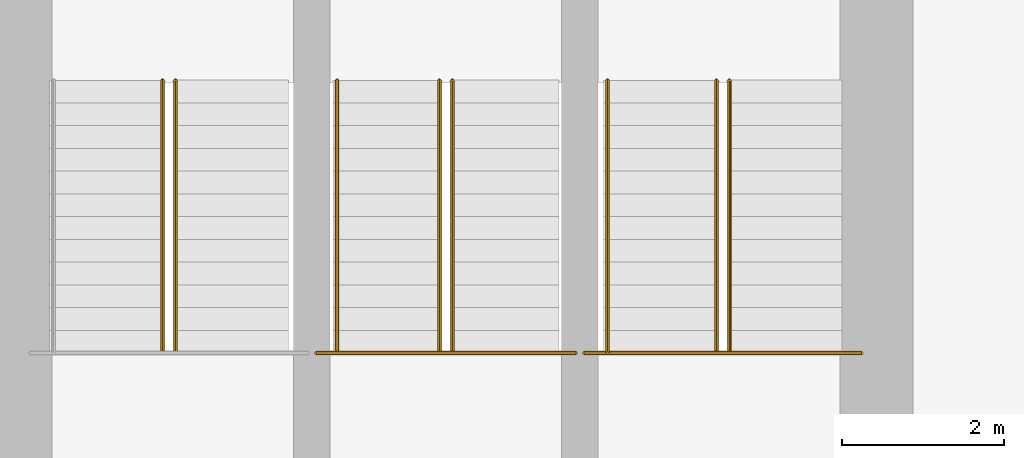
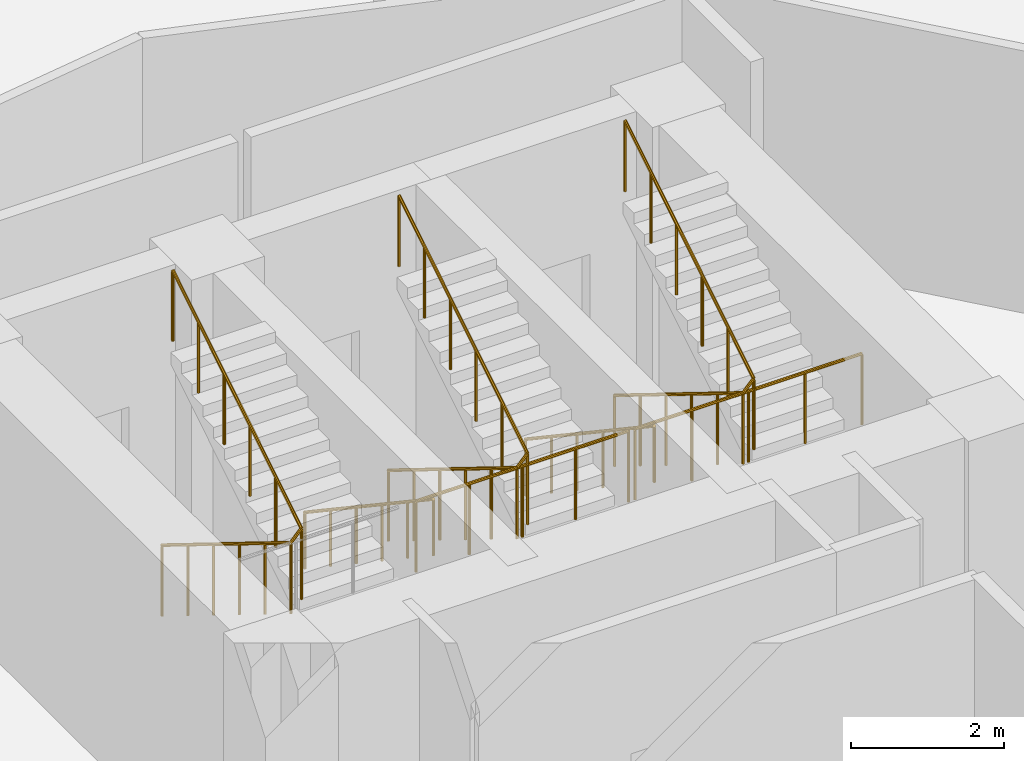
# One storey, part 8 of 8: 7 railings.
"""IFC4 building model written with IfcOpenShell, lengths in metres."""

from ifc_helpers import new_model, si_unit, direction, frame, origin, place, context, subcontext, project, spatial, polyline, outline, extrude, material, type_object, element, save


model = new_model("IFC4")

# Units and contexts
model_context = context("Model", 3, precision=1e-05, world=origin(), true_north=direction((0.0, 1.0)))
body_context = subcontext(model_context, "Body", "Model", "MODEL_VIEW")
ifc_project = project(units=[si_unit("LENGTHUNIT", "METRE"), si_unit("AREAUNIT", "SQUARE_METRE"), si_unit("VOLUMEUNIT", "CUBIC_METRE"), si_unit("PLANEANGLEUNIT", "RADIAN"), si_unit("MASSUNIT", "GRAM", prefix="KILO")], contexts=[model_context])

# Site, building, storey
site_placement = place(None, origin())
site = spatial("IfcSite", under=ifc_project, at=site_placement, CompositionType="ELEMENT")
building_placement = place(site_placement, origin())
building = spatial("IfcBuilding", under=site, at=building_placement, Name="Nuhasar Tower", CompositionType="ELEMENT")
storey_placement = place(building_placement, frame((0.0, 0.0, -4.5)))
storey = spatial("IfcBuildingStorey", under=building, at=storey_placement, Name="B1", CompositionType="ELEMENT", Elevation=-4.5)

# Railings
ifc_material_1 = material(Name="Steel S355", Category="steel")
railing_type_1 = type_object("IfcRailingType", Name="RLG-STAIR-GUARD-1150", PredefinedType="GUARDRAIL", material=ifc_material_1)
railing_1_placement = place(storey_placement, frame((35.510009765625, 35.284912109375, 0.173095703125)))
element("IfcRailing", 1, at=railing_1_placement, inside=storey, type_object=railing_type_1, Name="B1 Stair ST-01 Guardrail SLT", PredefinedType="GUARDRAIL", context=body_context, shape_type="SweptSolid", body=[
    extrude(outline(polyline([(0.024169921875, 0.0), (0.01708984375, 0.01708984375), (0.0, 0.024169921875), (-0.01708984375, 0.01708984375), (-0.024169921875, 0.0), (-0.01708984375, -0.01708984375), (0.0, -0.024169921875), (0.01708984375, -0.01708984375), (0.024169921875, 0.0)])), frame((0.0, 0.0, 1.1259765625), z_axis=(0.0, -0.850606129759, 0.525803396734), x_axis=(1.0, 0.0, 0.0)), (0.0, 0.0, 1.0), 3.949951171875),
    extrude(outline(polyline([(0.024169921875, 0.0), (0.01708984375, 0.01708984375), (0.0, 0.024169921875), (-0.01708984375, 0.01708984375), (-0.024169921875, 0.0), (-0.01708984375, -0.01708984375), (0.0, -0.024169921875), (0.01708984375, -0.01708984375), (0.024169921875, 0.0)])), frame((0.0, -3.35986328125, 3.20263671875), z_axis=(0.678581247581, 0.0, 0.734525350435), x_axis=(0.0, 1.0, 0.0)), (0.0, 0.0, 1.0), 0.235595703125),
    extrude(outline(polyline([(0.024169921875, 0.0), (0.01708984375, 0.01708984375), (0.0, 0.024169921875), (-0.01708984375, 0.01708984375), (-0.024169921875, 0.0), (-0.01708984375, -0.01708984375), (0.0, -0.024169921875), (0.01708984375, -0.01708984375), (0.024169921875, 0.0)])), frame((0.159912109375, -3.35986328125, 3.3759765625), z_axis=(0.0, 0.850606129759, 0.525803396734), x_axis=(-1.0, 0.0, 0.0)), (0.0, 0.0, 1.0), 3.949951171875),
    extrude(outline(polyline([(0.02099609375, 0.0), (0.014892578125, 0.014892578125), (0.0, 0.02099609375), (-0.014892578125, 0.014892578125), (-0.02099609375, 0.0), (-0.014892578125, -0.014892578125), (0.0, -0.02099609375), (0.014892578125, -0.014892578125), (0.02099609375, 0.0)])), origin(), (0.0, 0.0, 1.0), 1.101806640625),
    extrude(outline(polyline([(0.02099609375, 0.0), (0.014892578125, 0.014892578125), (0.0, 0.02099609375), (-0.014892578125, 0.014892578125), (-0.02099609375, 0.0), (-0.014892578125, -0.014892578125), (0.0, -0.02099609375), (0.014892578125, -0.014892578125), (0.02099609375, 0.0)])), frame((0.0, -0.671875, 0.415283203125)), (0.0, 0.0, 1.0), 1.101806640625),
    extrude(outline(polyline([(0.02099609375, 0.0), (0.014892578125, 0.014892578125), (0.0, 0.02099609375), (-0.014892578125, 0.014892578125), (-0.02099609375, 0.0), (-0.014892578125, -0.014892578125), (0.0, -0.02099609375), (0.014892578125, -0.014892578125), (0.02099609375, 0.0)])), frame((0.0, -1.343994140625, 0.830810546875)), (0.0, 0.0, 1.0), 1.101806640625),
    extrude(outline(polyline([(0.02099609375, 0.0), (0.014892578125, 0.014892578125), (0.0, 0.02099609375), (-0.014892578125, 0.014892578125), (-0.02099609375, 0.0), (-0.014892578125, -0.014892578125), (0.0, -0.02099609375), (0.014892578125, -0.014892578125), (0.02099609375, 0.0)])), frame((0.0, -2.015869140625, 1.24609375)), (0.0, 0.0, 1.0), 1.101806640625),
    extrude(outline(polyline([(0.02099609375, 0.0), (0.014892578125, 0.014892578125), (0.0, 0.02099609375), (-0.014892578125, 0.014892578125), (-0.02099609375, 0.0), (-0.014892578125, -0.014892578125), (0.0, -0.02099609375), (0.014892578125, -0.014892578125), (0.02099609375, 0.0)])), frame((0.0, -2.68798828125, 1.66162109375)), (0.0, 0.0, 1.0), 1.101806640625),
    extrude(outline(polyline([(0.02099609375, 0.0), (0.014892578125, 0.014892578125), (0.0, 0.02099609375), (-0.014892578125, 0.014892578125), (-0.02099609375, 0.0), (-0.014892578125, -0.014892578125), (0.0, -0.02099609375), (0.014892578125, -0.014892578125), (0.02099609375, 0.0)])), frame((0.0, -3.35986328125, 2.076904296875)), (0.0, 0.0, 1.0), 1.101806640625),
    extrude(outline(polyline([(0.02099609375, 0.0), (0.014892578125, 0.014892578125), (0.0, 0.02099609375), (-0.014892578125, 0.014892578125), (-0.02099609375, 0.0), (-0.014892578125, -0.014892578125), (0.0, -0.02099609375), (0.014892578125, -0.014892578125), (0.02099609375, 0.0)])), frame((0.159912109375, -3.35986328125, 2.25)), (0.0, 0.0, 1.0), 1.101806640625),
    extrude(outline(polyline([(0.02099609375, 0.0), (0.014892578125, 0.014892578125), (0.0, 0.02099609375), (-0.014892578125, 0.014892578125), (-0.02099609375, 0.0), (-0.014892578125, -0.014892578125), (0.0, -0.02099609375), (0.014892578125, -0.014892578125), (0.02099609375, 0.0)])), frame((0.159912109375, -2.68798828125, 2.665283203125)), (0.0, 0.0, 1.0), 1.101806640625),
    extrude(outline(polyline([(0.02099609375, 0.0), (0.014892578125, 0.014892578125), (0.0, 0.02099609375), (-0.014892578125, 0.014892578125), (-0.02099609375, 0.0), (-0.014892578125, -0.014892578125), (0.0, -0.02099609375), (0.014892578125, -0.014892578125), (0.02099609375, 0.0)])), frame((0.159912109375, -2.015869140625, 3.080810546875)), (0.0, 0.0, 1.0), 1.101806640625),
    extrude(outline(polyline([(0.02099609375, 0.0), (0.014892578125, 0.014892578125), (0.0, 0.02099609375), (-0.014892578125, 0.014892578125), (-0.02099609375, 0.0), (-0.014892578125, -0.014892578125), (0.0, -0.02099609375), (0.014892578125, -0.014892578125), (0.02099609375, 0.0)])), frame((0.159912109375, -1.343994140625, 3.49609375)), (0.0, 0.0, 1.0), 1.101806640625),
    extrude(outline(polyline([(0.02099609375, 0.0), (0.014892578125, 0.014892578125), (0.0, 0.02099609375), (-0.014892578125, 0.014892578125), (-0.02099609375, 0.0), (-0.014892578125, -0.014892578125), (0.0, -0.02099609375), (0.014892578125, -0.014892578125), (0.02099609375, 0.0)])), frame((0.159912109375, -0.671875, 3.91162109375)), (0.0, 0.0, 1.0), 1.101806640625),
    extrude(outline(polyline([(0.02099609375, 0.0), (0.014892578125, 0.014892578125), (0.0, 0.02099609375), (-0.014892578125, 0.014892578125), (-0.02099609375, 0.0), (-0.014892578125, -0.014892578125), (0.0, -0.02099609375), (0.014892578125, -0.014892578125), (0.02099609375, 0.0)])), frame((0.159912109375, 0.0, 4.326904296875)), (0.0, 0.0, 1.0), 1.101806640625),
])
railing_2_placement = place(storey_placement, frame((37.39990234375, 31.925048828125, 2.25)))
element("IfcRailing", 2, at=railing_2_placement, inside=storey, type_object=railing_type_1, Name="B1 Stair ST-03 Guardrail LND", PredefinedType="GUARDRAIL", context=body_context, shape_type="SweptSolid", body=[
    extrude(outline(polyline([(0.024169921875, 0.0), (0.01708984375, 0.01708984375), (0.0, 0.024169921875), (-0.01708984375, 0.01708984375), (-0.024169921875, 0.0), (-0.01708984375, -0.01708984375), (0.0, -0.024169921875), (0.01708984375, -0.01708984375), (0.024169921875, 0.0)])), frame((0.0, 0.0, 1.1259765625), z_axis=(1.0, 0.0, 0.0), x_axis=(0.0, 1.0, 0.0)), (0.0, 0.0, 1.0), 3.2001953125),
    extrude(outline(polyline([(0.02099609375, 0.0), (0.014892578125, 0.014892578125), (0.0, 0.02099609375), (-0.014892578125, 0.014892578125), (-0.02099609375, 0.0), (-0.014892578125, -0.014892578125), (0.0, -0.02099609375), (0.014892578125, -0.014892578125), (0.02099609375, 0.0)])), origin(), (0.0, 0.0, 1.0), 1.101806640625),
    extrude(outline(polyline([(0.02099609375, 0.0), (0.014892578125, 0.014892578125), (0.0, 0.02099609375), (-0.014892578125, 0.014892578125), (-0.02099609375, 0.0), (-0.014892578125, -0.014892578125), (0.0, -0.02099609375), (0.014892578125, -0.014892578125), (0.02099609375, 0.0)])), frame((0.800048828125, 0.0, 0.0)), (0.0, 0.0, 1.0), 1.101806640625),
    extrude(outline(polyline([(0.02099609375, 0.0), (0.014892578125, 0.014892578125), (0.0, 0.02099609375), (-0.014892578125, 0.014892578125), (-0.02099609375, 0.0), (-0.014892578125, -0.014892578125), (0.0, -0.02099609375), (0.014892578125, -0.014892578125), (0.02099609375, 0.0)])), frame((1.60009765625, 0.0, 0.0)), (0.0, 0.0, 1.0), 1.101806640625),
    extrude(outline(polyline([(0.02099609375, 0.0), (0.014892578125, 0.014892578125), (0.0, 0.02099609375), (-0.014892578125, 0.014892578125), (-0.02099609375, 0.0), (-0.014892578125, -0.014892578125), (0.0, -0.02099609375), (0.014892578125, -0.014892578125), (0.02099609375, 0.0)])), frame((2.400146484375, 0.0, 0.0)), (0.0, 0.0, 1.0), 1.101806640625),
    extrude(outline(polyline([(0.02099609375, 0.0), (0.014892578125, 0.014892578125), (0.0, 0.02099609375), (-0.014892578125, 0.014892578125), (-0.02099609375, 0.0), (-0.014892578125, -0.014892578125), (0.0, -0.02099609375), (0.014892578125, -0.014892578125), (0.02099609375, 0.0)])), frame((3.2001953125, 0.0, 0.0)), (0.0, 0.0, 1.0), 1.101806640625),
])
railing_3_placement = place(storey_placement, frame((38.919921875, 35.284912109375, 0.173095703125)))
element("IfcRailing", 3, at=railing_3_placement, inside=storey, type_object=railing_type_1, Name="B1 Stair ST-03 Guardrail SLT", PredefinedType="GUARDRAIL", context=body_context, shape_type="SweptSolid", body=[
    extrude(outline(polyline([(0.024169921875, 0.0), (0.01708984375, 0.01708984375), (0.0, 0.024169921875), (-0.01708984375, 0.01708984375), (-0.024169921875, 0.0), (-0.01708984375, -0.01708984375), (0.0, -0.024169921875), (0.01708984375, -0.01708984375), (0.024169921875, 0.0)])), frame((0.0, 0.0, 1.1259765625), z_axis=(0.0, -0.850606129759, 0.525803396734), x_axis=(1.0, 0.0, 0.0)), (0.0, 0.0, 1.0), 3.949951171875),
    extrude(outline(polyline([(0.024169921875, 0.0), (0.01708984375, 0.01708984375), (0.0, 0.024169921875), (-0.01708984375, 0.01708984375), (-0.024169921875, 0.0), (-0.01708984375, -0.01708984375), (0.0, -0.024169921875), (0.01708984375, -0.01708984375), (0.024169921875, 0.0)])), frame((0.0, -3.35986328125, 3.20263671875), z_axis=(0.679139610055, 0.0, 0.734009121234), x_axis=(0.0, 1.0, 0.0)), (0.0, 0.0, 1.0), 0.23583984375),
    extrude(outline(polyline([(0.024169921875, 0.0), (0.01708984375, 0.01708984375), (0.0, 0.024169921875), (-0.01708984375, 0.01708984375), (-0.024169921875, 0.0), (-0.01708984375, -0.01708984375), (0.0, -0.024169921875), (0.01708984375, -0.01708984375), (0.024169921875, 0.0)])), frame((0.16015625, -3.35986328125, 3.3759765625), z_axis=(0.0, 0.850606129759, 0.525803396734), x_axis=(-1.0, 0.0, 0.0)), (0.0, 0.0, 1.0), 3.949951171875),
    extrude(outline(polyline([(0.02099609375, 0.0), (0.014892578125, 0.014892578125), (0.0, 0.02099609375), (-0.014892578125, 0.014892578125), (-0.02099609375, 0.0), (-0.014892578125, -0.014892578125), (0.0, -0.02099609375), (0.014892578125, -0.014892578125), (0.02099609375, 0.0)])), origin(), (0.0, 0.0, 1.0), 1.101806640625),
    extrude(outline(polyline([(0.02099609375, 0.0), (0.014892578125, 0.014892578125), (0.0, 0.02099609375), (-0.014892578125, 0.014892578125), (-0.02099609375, 0.0), (-0.014892578125, -0.014892578125), (0.0, -0.02099609375), (0.014892578125, -0.014892578125), (0.02099609375, 0.0)])), frame((0.0, -0.671875, 0.415283203125)), (0.0, 0.0, 1.0), 1.101806640625),
    extrude(outline(polyline([(0.02099609375, 0.0), (0.014892578125, 0.014892578125), (0.0, 0.02099609375), (-0.014892578125, 0.014892578125), (-0.02099609375, 0.0), (-0.014892578125, -0.014892578125), (0.0, -0.02099609375), (0.014892578125, -0.014892578125), (0.02099609375, 0.0)])), frame((0.0, -1.343994140625, 0.830810546875)), (0.0, 0.0, 1.0), 1.101806640625),
    extrude(outline(polyline([(0.02099609375, 0.0), (0.014892578125, 0.014892578125), (0.0, 0.02099609375), (-0.014892578125, 0.014892578125), (-0.02099609375, 0.0), (-0.014892578125, -0.014892578125), (0.0, -0.02099609375), (0.014892578125, -0.014892578125), (0.02099609375, 0.0)])), frame((0.0, -2.015869140625, 1.24609375)), (0.0, 0.0, 1.0), 1.101806640625),
    extrude(outline(polyline([(0.02099609375, 0.0), (0.014892578125, 0.014892578125), (0.0, 0.02099609375), (-0.014892578125, 0.014892578125), (-0.02099609375, 0.0), (-0.014892578125, -0.014892578125), (0.0, -0.02099609375), (0.014892578125, -0.014892578125), (0.02099609375, 0.0)])), frame((0.0, -2.68798828125, 1.66162109375)), (0.0, 0.0, 1.0), 1.101806640625),
    extrude(outline(polyline([(0.02099609375, 0.0), (0.014892578125, 0.014892578125), (0.0, 0.02099609375), (-0.014892578125, 0.014892578125), (-0.02099609375, 0.0), (-0.014892578125, -0.014892578125), (0.0, -0.02099609375), (0.014892578125, -0.014892578125), (0.02099609375, 0.0)])), frame((0.0, -3.35986328125, 2.076904296875)), (0.0, 0.0, 1.0), 1.101806640625),
    extrude(outline(polyline([(0.02099609375, 0.0), (0.014892578125, 0.014892578125), (0.0, 0.02099609375), (-0.014892578125, 0.014892578125), (-0.02099609375, 0.0), (-0.014892578125, -0.014892578125), (0.0, -0.02099609375), (0.014892578125, -0.014892578125), (0.02099609375, 0.0)])), frame((0.16015625, -3.35986328125, 2.25)), (0.0, 0.0, 1.0), 1.101806640625),
    extrude(outline(polyline([(0.02099609375, 0.0), (0.014892578125, 0.014892578125), (0.0, 0.02099609375), (-0.014892578125, 0.014892578125), (-0.02099609375, 0.0), (-0.014892578125, -0.014892578125), (0.0, -0.02099609375), (0.014892578125, -0.014892578125), (0.02099609375, 0.0)])), frame((0.16015625, -2.68798828125, 2.665283203125)), (0.0, 0.0, 1.0), 1.101806640625),
    extrude(outline(polyline([(0.02099609375, 0.0), (0.014892578125, 0.014892578125), (0.0, 0.02099609375), (-0.014892578125, 0.014892578125), (-0.02099609375, 0.0), (-0.014892578125, -0.014892578125), (0.0, -0.02099609375), (0.014892578125, -0.014892578125), (0.02099609375, 0.0)])), frame((0.16015625, -2.015869140625, 3.080810546875)), (0.0, 0.0, 1.0), 1.101806640625),
    extrude(outline(polyline([(0.02099609375, 0.0), (0.014892578125, 0.014892578125), (0.0, 0.02099609375), (-0.014892578125, 0.014892578125), (-0.02099609375, 0.0), (-0.014892578125, -0.014892578125), (0.0, -0.02099609375), (0.014892578125, -0.014892578125), (0.02099609375, 0.0)])), frame((0.16015625, -1.343994140625, 3.49609375)), (0.0, 0.0, 1.0), 1.101806640625),
    extrude(outline(polyline([(0.02099609375, 0.0), (0.014892578125, 0.014892578125), (0.0, 0.02099609375), (-0.014892578125, 0.014892578125), (-0.02099609375, 0.0), (-0.014892578125, -0.014892578125), (0.0, -0.02099609375), (0.014892578125, -0.014892578125), (0.02099609375, 0.0)])), frame((0.16015625, -0.671875, 3.91162109375)), (0.0, 0.0, 1.0), 1.101806640625),
    extrude(outline(polyline([(0.02099609375, 0.0), (0.014892578125, 0.014892578125), (0.0, 0.02099609375), (-0.014892578125, 0.014892578125), (-0.02099609375, 0.0), (-0.014892578125, -0.014892578125), (0.0, -0.02099609375), (0.014892578125, -0.014892578125), (0.02099609375, 0.0)])), frame((0.16015625, 0.0, 4.326904296875)), (0.0, 0.0, 1.0), 1.101806640625),
])
railing_4_placement = place(storey_placement, frame((40.699951171875, 31.925048828125, 2.25)))
element("IfcRailing", 4, at=railing_4_placement, inside=storey, type_object=railing_type_1, Name="B1 Stair ST-02 Guardrail LND", PredefinedType="GUARDRAIL", context=body_context, shape_type="SweptSolid", body=[
    extrude(outline(polyline([(0.024169921875, 0.0), (0.01708984375, 0.01708984375), (0.0, 0.024169921875), (-0.01708984375, 0.01708984375), (-0.024169921875, 0.0), (-0.01708984375, -0.01708984375), (0.0, -0.024169921875), (0.01708984375, -0.01708984375), (0.024169921875, 0.0)])), frame((0.0, 0.0, 1.1259765625), z_axis=(1.0, 0.0, 0.0), x_axis=(0.0, 1.0, 0.0)), (0.0, 0.0, 1.0), 3.420166015625),
    extrude(outline(polyline([(0.02099609375, 0.0), (0.014892578125, 0.014892578125), (0.0, 0.02099609375), (-0.014892578125, 0.014892578125), (-0.02099609375, 0.0), (-0.014892578125, -0.014892578125), (0.0, -0.02099609375), (0.014892578125, -0.014892578125), (0.02099609375, 0.0)])), origin(), (0.0, 0.0, 1.0), 1.101806640625),
    extrude(outline(polyline([(0.02099609375, 0.0), (0.014892578125, 0.014892578125), (0.0, 0.02099609375), (-0.014892578125, 0.014892578125), (-0.02099609375, 0.0), (-0.014892578125, -0.014892578125), (0.0, -0.02099609375), (0.014892578125, -0.014892578125), (0.02099609375, 0.0)])), frame((0.85498046875, 0.0, 0.0)), (0.0, 0.0, 1.0), 1.101806640625),
    extrude(outline(polyline([(0.02099609375, 0.0), (0.014892578125, 0.014892578125), (0.0, 0.02099609375), (-0.014892578125, 0.014892578125), (-0.02099609375, 0.0), (-0.014892578125, -0.014892578125), (0.0, -0.02099609375), (0.014892578125, -0.014892578125), (0.02099609375, 0.0)])), frame((1.7099609375, 0.0, 0.0)), (0.0, 0.0, 1.0), 1.101806640625),
    extrude(outline(polyline([(0.02099609375, 0.0), (0.014892578125, 0.014892578125), (0.0, 0.02099609375), (-0.014892578125, 0.014892578125), (-0.02099609375, 0.0), (-0.014892578125, -0.014892578125), (0.0, -0.02099609375), (0.014892578125, -0.014892578125), (0.02099609375, 0.0)])), frame((2.565185546875, 0.0, 0.0)), (0.0, 0.0, 1.0), 1.101806640625),
    extrude(outline(polyline([(0.02099609375, 0.0), (0.014892578125, 0.014892578125), (0.0, 0.02099609375), (-0.014892578125, 0.014892578125), (-0.02099609375, 0.0), (-0.014892578125, -0.014892578125), (0.0, -0.02099609375), (0.014892578125, -0.014892578125), (0.02099609375, 0.0)])), frame((3.420166015625, 0.0, 0.0)), (0.0, 0.0, 1.0), 1.101806640625),
])
railing_5_placement = place(storey_placement, frame((42.330078125, 35.284912109375, 0.173095703125)))
element("IfcRailing", 5, at=railing_5_placement, inside=storey, type_object=railing_type_1, Name="B1 Stair ST-02 Guardrail SLT", PredefinedType="GUARDRAIL", context=body_context, shape_type="SweptSolid", body=[
    extrude(outline(polyline([(0.024169921875, 0.0), (0.01708984375, 0.01708984375), (0.0, 0.024169921875), (-0.01708984375, 0.01708984375), (-0.024169921875, 0.0), (-0.01708984375, -0.01708984375), (0.0, -0.024169921875), (0.01708984375, -0.01708984375), (0.024169921875, 0.0)])), frame((0.0, 0.0, 1.1259765625), z_axis=(0.0, -0.850606129759, 0.525803396734), x_axis=(1.0, 0.0, 0.0)), (0.0, 0.0, 1.0), 3.949951171875),
    extrude(outline(polyline([(0.024169921875, 0.0), (0.01708984375, 0.01708984375), (0.0, 0.024169921875), (-0.01708984375, 0.01708984375), (-0.024169921875, 0.0), (-0.01708984375, -0.01708984375), (0.0, -0.024169921875), (0.01708984375, -0.01708984375), (0.024169921875, 0.0)])), frame((0.0, -3.35986328125, 3.20263671875), z_axis=(0.678581247581, 0.0, 0.734525350435), x_axis=(0.0, 1.0, 0.0)), (0.0, 0.0, 1.0), 0.235595703125),
    extrude(outline(polyline([(0.024169921875, 0.0), (0.01708984375, 0.01708984375), (0.0, 0.024169921875), (-0.01708984375, 0.01708984375), (-0.024169921875, 0.0), (-0.01708984375, -0.01708984375), (0.0, -0.024169921875), (0.01708984375, -0.01708984375), (0.024169921875, 0.0)])), frame((0.159912109375, -3.35986328125, 3.3759765625), z_axis=(0.0, 0.850606129759, 0.525803396734), x_axis=(-1.0, 0.0, 0.0)), (0.0, 0.0, 1.0), 3.949951171875),
    extrude(outline(polyline([(0.02099609375, 0.0), (0.014892578125, 0.014892578125), (0.0, 0.02099609375), (-0.014892578125, 0.014892578125), (-0.02099609375, 0.0), (-0.014892578125, -0.014892578125), (0.0, -0.02099609375), (0.014892578125, -0.014892578125), (0.02099609375, 0.0)])), origin(), (0.0, 0.0, 1.0), 1.101806640625),
    extrude(outline(polyline([(0.02099609375, 0.0), (0.014892578125, 0.014892578125), (0.0, 0.02099609375), (-0.014892578125, 0.014892578125), (-0.02099609375, 0.0), (-0.014892578125, -0.014892578125), (0.0, -0.02099609375), (0.014892578125, -0.014892578125), (0.02099609375, 0.0)])), frame((0.0, -0.671875, 0.415283203125)), (0.0, 0.0, 1.0), 1.101806640625),
    extrude(outline(polyline([(0.02099609375, 0.0), (0.014892578125, 0.014892578125), (0.0, 0.02099609375), (-0.014892578125, 0.014892578125), (-0.02099609375, 0.0), (-0.014892578125, -0.014892578125), (0.0, -0.02099609375), (0.014892578125, -0.014892578125), (0.02099609375, 0.0)])), frame((0.0, -1.343994140625, 0.830810546875)), (0.0, 0.0, 1.0), 1.101806640625),
    extrude(outline(polyline([(0.02099609375, 0.0), (0.014892578125, 0.014892578125), (0.0, 0.02099609375), (-0.014892578125, 0.014892578125), (-0.02099609375, 0.0), (-0.014892578125, -0.014892578125), (0.0, -0.02099609375), (0.014892578125, -0.014892578125), (0.02099609375, 0.0)])), frame((0.0, -2.015869140625, 1.24609375)), (0.0, 0.0, 1.0), 1.101806640625),
    extrude(outline(polyline([(0.02099609375, 0.0), (0.014892578125, 0.014892578125), (0.0, 0.02099609375), (-0.014892578125, 0.014892578125), (-0.02099609375, 0.0), (-0.014892578125, -0.014892578125), (0.0, -0.02099609375), (0.014892578125, -0.014892578125), (0.02099609375, 0.0)])), frame((0.0, -2.68798828125, 1.66162109375)), (0.0, 0.0, 1.0), 1.101806640625),
    extrude(outline(polyline([(0.02099609375, 0.0), (0.014892578125, 0.014892578125), (0.0, 0.02099609375), (-0.014892578125, 0.014892578125), (-0.02099609375, 0.0), (-0.014892578125, -0.014892578125), (0.0, -0.02099609375), (0.014892578125, -0.014892578125), (0.02099609375, 0.0)])), frame((0.0, -3.35986328125, 2.076904296875)), (0.0, 0.0, 1.0), 1.101806640625),
    extrude(outline(polyline([(0.02099609375, 0.0), (0.014892578125, 0.014892578125), (0.0, 0.02099609375), (-0.014892578125, 0.014892578125), (-0.02099609375, 0.0), (-0.014892578125, -0.014892578125), (0.0, -0.02099609375), (0.014892578125, -0.014892578125), (0.02099609375, 0.0)])), frame((0.159912109375, -3.35986328125, 2.25)), (0.0, 0.0, 1.0), 1.101806640625),
    extrude(outline(polyline([(0.02099609375, 0.0), (0.014892578125, 0.014892578125), (0.0, 0.02099609375), (-0.014892578125, 0.014892578125), (-0.02099609375, 0.0), (-0.014892578125, -0.014892578125), (0.0, -0.02099609375), (0.014892578125, -0.014892578125), (0.02099609375, 0.0)])), frame((0.159912109375, -2.68798828125, 2.665283203125)), (0.0, 0.0, 1.0), 1.101806640625),
    extrude(outline(polyline([(0.02099609375, 0.0), (0.014892578125, 0.014892578125), (0.0, 0.02099609375), (-0.014892578125, 0.014892578125), (-0.02099609375, 0.0), (-0.014892578125, -0.014892578125), (0.0, -0.02099609375), (0.014892578125, -0.014892578125), (0.02099609375, 0.0)])), frame((0.159912109375, -2.015869140625, 3.080810546875)), (0.0, 0.0, 1.0), 1.101806640625),
    extrude(outline(polyline([(0.02099609375, 0.0), (0.014892578125, 0.014892578125), (0.0, 0.02099609375), (-0.014892578125, 0.014892578125), (-0.02099609375, 0.0), (-0.014892578125, -0.014892578125), (0.0, -0.02099609375), (0.014892578125, -0.014892578125), (0.02099609375, 0.0)])), frame((0.159912109375, -1.343994140625, 3.49609375)), (0.0, 0.0, 1.0), 1.101806640625),
    extrude(outline(polyline([(0.02099609375, 0.0), (0.014892578125, 0.014892578125), (0.0, 0.02099609375), (-0.014892578125, 0.014892578125), (-0.02099609375, 0.0), (-0.014892578125, -0.014892578125), (0.0, -0.02099609375), (0.014892578125, -0.014892578125), (0.02099609375, 0.0)])), frame((0.159912109375, -0.671875, 3.91162109375)), (0.0, 0.0, 1.0), 1.101806640625),
    extrude(outline(polyline([(0.02099609375, 0.0), (0.014892578125, 0.014892578125), (0.0, 0.02099609375), (-0.014892578125, 0.014892578125), (-0.02099609375, 0.0), (-0.014892578125, -0.014892578125), (0.0, -0.02099609375), (0.014892578125, -0.014892578125), (0.02099609375, 0.0)])), frame((0.159912109375, 0.0, 4.326904296875)), (0.0, 0.0, 1.0), 1.101806640625),
])
ifc_material_2 = material(Name="Stainless Steel 316L", Category="steel")
railing_type_2 = type_object("IfcRailingType", Name="RLG-STAIR-HAND-920", PredefinedType="HANDRAIL", material=ifc_material_2)
railing_6_placement = place(storey_placement, frame((37.659912109375, 35.284912109375, 0.173095703125)))
element("IfcRailing", 6, at=railing_6_placement, inside=storey, type_object=railing_type_2, Name="B1 Stair ST-03 Handrail HND1", PredefinedType="HANDRAIL", context=body_context, shape_type="SweptSolid", body=[
    extrude(outline(polyline([(0.024169921875, 0.0), (0.01708984375, 0.01708984375), (0.0, 0.024169921875), (-0.01708984375, 0.01708984375), (-0.024169921875, 0.0), (-0.01708984375, -0.01708984375), (0.0, -0.024169921875), (0.01708984375, -0.01708984375), (0.024169921875, 0.0)])), frame((0.0, 0.0, 0.89599609375), z_axis=(0.0, -0.830896709279, 0.556426687452), x_axis=(1.0, 0.0, 0.0)), (0.0, 0.0, 1.0), 4.043701171875),
    extrude(outline(polyline([(0.02099609375, 0.0), (0.014892578125, 0.014892578125), (0.0, 0.02099609375), (-0.014892578125, 0.014892578125), (-0.02099609375, 0.0), (-0.014892578125, -0.014892578125), (0.0, -0.02099609375), (0.014892578125, -0.014892578125), (0.02099609375, 0.0)])), origin(), (0.0, 0.0, 1.0), 0.871826171875),
    extrude(outline(polyline([(0.02099609375, 0.0), (0.014892578125, 0.014892578125), (0.0, 0.02099609375), (-0.014892578125, 0.014892578125), (-0.02099609375, 0.0), (-0.014892578125, -0.014892578125), (0.0, -0.02099609375), (0.014892578125, -0.014892578125), (0.02099609375, 0.0)])), frame((0.0, -0.671875, 0.449951171875)), (0.0, 0.0, 1.0), 0.871826171875),
    extrude(outline(polyline([(0.02099609375, 0.0), (0.014892578125, 0.014892578125), (0.0, 0.02099609375), (-0.014892578125, 0.014892578125), (-0.02099609375, 0.0), (-0.014892578125, -0.014892578125), (0.0, -0.02099609375), (0.014892578125, -0.014892578125), (0.02099609375, 0.0)])), frame((0.0, -1.343994140625, 0.89990234375)), (0.0, 0.0, 1.0), 0.871826171875),
    extrude(outline(polyline([(0.02099609375, 0.0), (0.014892578125, 0.014892578125), (0.0, 0.02099609375), (-0.014892578125, 0.014892578125), (-0.02099609375, 0.0), (-0.014892578125, -0.014892578125), (0.0, -0.02099609375), (0.014892578125, -0.014892578125), (0.02099609375, 0.0)])), frame((0.0, -2.015869140625, 1.35009765625)), (0.0, 0.0, 1.0), 0.871826171875),
    extrude(outline(polyline([(0.02099609375, 0.0), (0.014892578125, 0.014892578125), (0.0, 0.02099609375), (-0.014892578125, 0.014892578125), (-0.02099609375, 0.0), (-0.014892578125, -0.014892578125), (0.0, -0.02099609375), (0.014892578125, -0.014892578125), (0.02099609375, 0.0)])), frame((0.0, -2.68798828125, 1.800048828125)), (0.0, 0.0, 1.0), 0.871826171875),
    extrude(outline(polyline([(0.02099609375, 0.0), (0.014892578125, 0.014892578125), (0.0, 0.02099609375), (-0.014892578125, 0.014892578125), (-0.02099609375, 0.0), (-0.014892578125, -0.014892578125), (0.0, -0.02099609375), (0.014892578125, -0.014892578125), (0.02099609375, 0.0)])), frame((0.0, -3.35986328125, 2.25)), (0.0, 0.0, 1.0), 0.871826171875),
])
railing_7_placement = place(storey_placement, frame((40.989990234375, 35.284912109375, 0.173095703125)))
element("IfcRailing", 7, at=railing_7_placement, inside=storey, type_object=railing_type_2, Name="B1 Stair ST-02 Handrail HND1", PredefinedType="HANDRAIL", context=body_context, shape_type="SweptSolid", body=[
    extrude(outline(polyline([(0.024169921875, 0.0), (0.01708984375, 0.01708984375), (0.0, 0.024169921875), (-0.01708984375, 0.01708984375), (-0.024169921875, 0.0), (-0.01708984375, -0.01708984375), (0.0, -0.024169921875), (0.01708984375, -0.01708984375), (0.024169921875, 0.0)])), frame((0.0, 0.0, 0.89599609375), z_axis=(0.0, -0.830896709279, 0.556426687452), x_axis=(1.0, 0.0, 0.0)), (0.0, 0.0, 1.0), 4.043701171875),
    extrude(outline(polyline([(0.02099609375, 0.0), (0.014892578125, 0.014892578125), (0.0, 0.02099609375), (-0.014892578125, 0.014892578125), (-0.02099609375, 0.0), (-0.014892578125, -0.014892578125), (0.0, -0.02099609375), (0.014892578125, -0.014892578125), (0.02099609375, 0.0)])), origin(), (0.0, 0.0, 1.0), 0.871826171875),
    extrude(outline(polyline([(0.02099609375, 0.0), (0.014892578125, 0.014892578125), (0.0, 0.02099609375), (-0.014892578125, 0.014892578125), (-0.02099609375, 0.0), (-0.014892578125, -0.014892578125), (0.0, -0.02099609375), (0.014892578125, -0.014892578125), (0.02099609375, 0.0)])), frame((0.0, -0.671875, 0.449951171875)), (0.0, 0.0, 1.0), 0.871826171875),
    extrude(outline(polyline([(0.02099609375, 0.0), (0.014892578125, 0.014892578125), (0.0, 0.02099609375), (-0.014892578125, 0.014892578125), (-0.02099609375, 0.0), (-0.014892578125, -0.014892578125), (0.0, -0.02099609375), (0.014892578125, -0.014892578125), (0.02099609375, 0.0)])), frame((0.0, -1.343994140625, 0.89990234375)), (0.0, 0.0, 1.0), 0.871826171875),
    extrude(outline(polyline([(0.02099609375, 0.0), (0.014892578125, 0.014892578125), (0.0, 0.02099609375), (-0.014892578125, 0.014892578125), (-0.02099609375, 0.0), (-0.014892578125, -0.014892578125), (0.0, -0.02099609375), (0.014892578125, -0.014892578125), (0.02099609375, 0.0)])), frame((0.0, -2.015869140625, 1.35009765625)), (0.0, 0.0, 1.0), 0.871826171875),
    extrude(outline(polyline([(0.02099609375, 0.0), (0.014892578125, 0.014892578125), (0.0, 0.02099609375), (-0.014892578125, 0.014892578125), (-0.02099609375, 0.0), (-0.014892578125, -0.014892578125), (0.0, -0.02099609375), (0.014892578125, -0.014892578125), (0.02099609375, 0.0)])), frame((0.0, -2.68798828125, 1.800048828125)), (0.0, 0.0, 1.0), 0.871826171875),
    extrude(outline(polyline([(0.02099609375, 0.0), (0.014892578125, 0.014892578125), (0.0, 0.02099609375), (-0.014892578125, 0.014892578125), (-0.02099609375, 0.0), (-0.014892578125, -0.014892578125), (0.0, -0.02099609375), (0.014892578125, -0.014892578125), (0.02099609375, 0.0)])), frame((0.0, -3.35986328125, 2.25)), (0.0, 0.0, 1.0), 0.871826171875),
])

save(model, "model.ifc")
